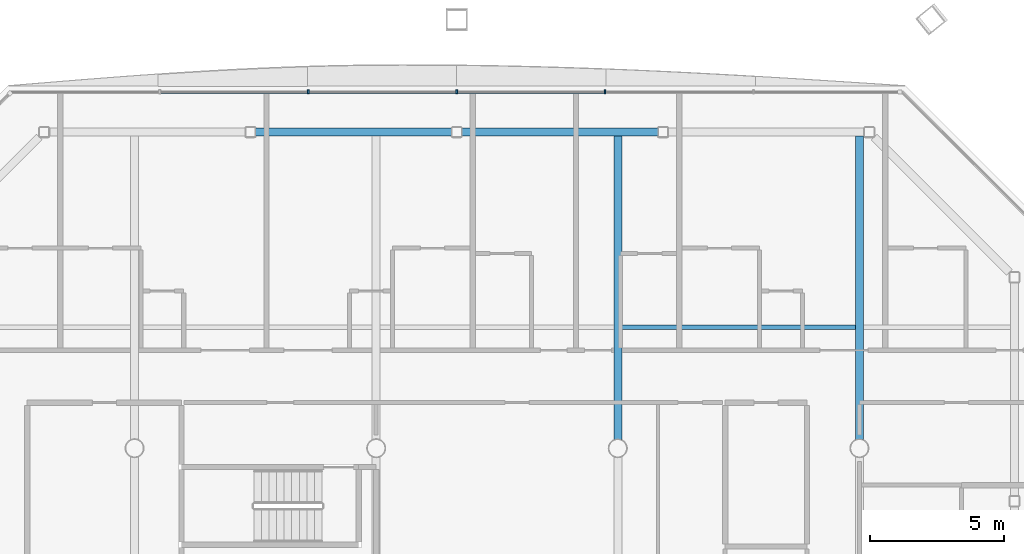
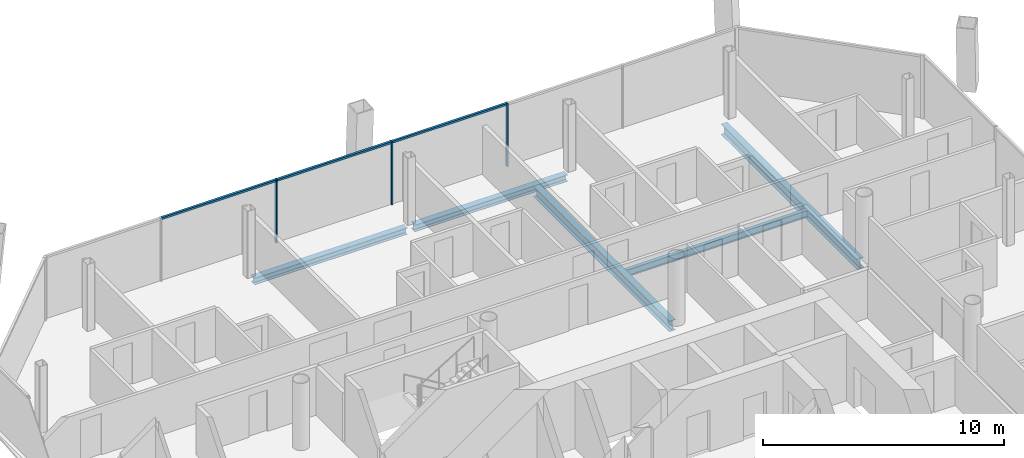
# One storey, part 10 of 21: 6 members, 5 beams, 1 element without a shape of its own.
"""IFC4 building model written with IfcOpenShell, lengths in metres."""

from ifc_helpers import new_model, si_unit, direction, frame, origin, origin_2d, place, context, subcontext, project, spatial, rectangle, i_section, extrude, material, material_profile, profile_set, type_object, element, aggregate, save


model = new_model("IFC4")

# Units and contexts
model_context = context("Model", 3, precision=1e-05, world=origin(), true_north=direction((0.0, 1.0)))
body_context = subcontext(model_context, "Body", "Model", "MODEL_VIEW")
ifc_project = project(units=[si_unit("LENGTHUNIT", "METRE"), si_unit("AREAUNIT", "SQUARE_METRE"), si_unit("VOLUMEUNIT", "CUBIC_METRE"), si_unit("PLANEANGLEUNIT", "RADIAN"), si_unit("MASSUNIT", "GRAM", prefix="KILO")], contexts=[model_context])

# Site, building, storey
site_placement = place(None, origin())
site = spatial("IfcSite", under=ifc_project, at=site_placement, CompositionType="ELEMENT")
building_placement = place(site_placement, origin())
building = spatial("IfcBuilding", under=site, at=building_placement, Name="Tskaro Facet Tower", CompositionType="ELEMENT")
storey_placement = place(building_placement, frame((0.0, 0.0, 148.699951171875)))
storey = spatial("IfcBuildingStorey", under=building, at=storey_placement, Name="L36", CompositionType="ELEMENT", Elevation=148.699951171875)

# Curtain wall, members
ifc_material_1 = material(Name="Bronze anodised aluminium 6063-T6", Category="aluminium")
curtain_wall_type = type_object("IfcCurtainWallType", Name="Bronze hotel curtain wall (FW2)", PredefinedType="NOTDEFINED", material=ifc_material_1)
curtain_wall_placement = place(storey_placement, origin())
curtain_wall = element("IfcCurtainWall", 1, at=curtain_wall_placement, inside=storey, type_object=curtain_wall_type, Name="FW2 north facet L36", PredefinedType="NOTDEFINED")
ifc_material_profile_1 = material_profile(ifc_material_1, rectangle(XDim=0.06005859375, YDim=0.14990234375, at=origin_2d()), Name="Mullion 60x150")
ifc_profile_set_1 = profile_set([ifc_material_profile_1], Name="Bronze anodised aluminium 6063-T6")
member_type_1 = type_object("IfcMemberType", Name="FW2 bronze mullion 60x150", PredefinedType="MULLION", material=ifc_profile_set_1)
member_1_placement = place(storey_placement, frame((8.53076171875, 22.27197265625, 0.0), z_axis=(0.0, 0.0, 1.0), x_axis=(-1.0, 0.0, 0.0)))
member_1 = element("IfcMember", 2, at=member_1_placement, type_object=member_type_1, Name="FW2 north mullion 2", PredefinedType="MULLION", context=body_context, shape_type="SweptSolid", body=[
    extrude(rectangle(XDim=0.06005859375, YDim=0.14990234375, at=origin_2d()), origin(), (0.0, 0.0, 1.0), 3.199951171875),
])
member_2_placement = place(storey_placement, frame((3.0, 22.27197265625, 0.0), z_axis=(0.0, 0.0, 1.0), x_axis=(-1.0, 0.0, 0.0)))
member_2 = element("IfcMember", 3, at=member_2_placement, type_object=member_type_1, Name="FW2 north mullion 3", PredefinedType="MULLION", context=body_context, shape_type="SweptSolid", body=[
    extrude(rectangle(XDim=0.06005859375, YDim=0.14990234375, at=origin_2d()), origin(), (0.0, 0.0, 1.0), 3.199951171875),
])
member_3_placement = place(storey_placement, frame((-2.53076171875, 22.27197265625, 0.0), z_axis=(0.0, 0.0, 1.0), x_axis=(-1.0, 0.0, 0.0)))
member_3 = element("IfcMember", 4, at=member_3_placement, type_object=member_type_1, Name="FW2 north mullion 4", PredefinedType="MULLION", context=body_context, shape_type="SweptSolid", body=[
    extrude(rectangle(XDim=0.06005859375, YDim=0.14990234375, at=origin_2d()), origin(), (0.0, 0.0, 1.0), 3.199951171875),
])
ifc_material_profile_2 = material_profile(ifc_material_1, rectangle(XDim=0.110107421875, YDim=0.10009765625, at=origin_2d()), Name="Transom 110x100")
ifc_profile_set_2 = profile_set([ifc_material_profile_2], Name="Bronze anodised aluminium 6063-T6")
member_type_2 = type_object("IfcMemberType", Name="FW2 bronze transom 110x100", PredefinedType="USERDEFINED", material=ifc_profile_set_2)
member_4_placement = place(storey_placement, frame((8.500732421875, 22.27197265625, 3.150146484375), z_axis=(-1.0, 0.0, 0.0), x_axis=(0.0, -1.0, 0.0)))
member_4 = element("IfcMember", 5, at=member_4_placement, type_object=member_type_2, Name="FW2 north transom 3.1", ObjectType="TRANSOM", PredefinedType="USERDEFINED", context=body_context, shape_type="SweptSolid", body=[
    extrude(rectangle(XDim=0.110107421875, YDim=0.10009765625, at=origin_2d()), origin(), (0.0, 0.0, 1.0), 5.470703125),
])
member_5_placement = place(storey_placement, frame((2.969970703125, 22.27197265625, 3.150146484375), z_axis=(-1.0, 0.0, 0.0), x_axis=(0.0, -1.0, 0.0)))
member_5 = element("IfcMember", 6, at=member_5_placement, type_object=member_type_2, Name="FW2 north transom 4.1", ObjectType="TRANSOM", PredefinedType="USERDEFINED", context=body_context, shape_type="SweptSolid", body=[
    extrude(rectangle(XDim=0.110107421875, YDim=0.10009765625, at=origin_2d()), origin(), (0.0, 0.0, 1.0), 5.470703125),
])
member_6_placement = place(storey_placement, frame((-2.560546875, 22.27197265625, 3.150146484375), z_axis=(-1.0, 0.0, 0.0), x_axis=(0.0, -1.0, 0.0)))
member_6 = element("IfcMember", 7, at=member_6_placement, type_object=member_type_2, Name="FW2 north transom 5.1", ObjectType="TRANSOM", PredefinedType="USERDEFINED", context=body_context, shape_type="SweptSolid", body=[
    extrude(rectangle(XDim=0.110107421875, YDim=0.10009765625, at=origin_2d()), origin(), (0.0, 0.0, 1.0), 5.470703125),
])
aggregate(curtain_wall, [member_1, member_2, member_3, member_4, member_5, member_6])

# Beams
ifc_material_2 = material(Name="Steel S355J2", Category="steel")
ifc_material_profile_3 = material_profile(ifc_material_2, i_section(OverallWidth=0.300048828125, OverallDepth=0.340087890625, WebThickness=0.011962890625, FlangeThickness=0.021484375, FilletRadius=0.027099609375, at=origin_2d()), Name="HE 340 B")
ifc_profile_set_3 = profile_set([ifc_material_profile_3], Name="Steel S355J2")
beam_type_1 = type_object("IfcBeamType", Name="HE 340 B ring beam", PredefinedType="BEAM", material=ifc_profile_set_3)
for number, where, z_axis, x_axis, name in (
    (8, (10.50390625, 20.77392578125, -0.31005859375), (-1.0, 0.0, 0.0), (0.0, -1.0, 0.0), "HE 340 B EB12-3"),
    (9, (2.820068359375, 20.77392578125, -0.31005859375), (-1.0, 0.0, 0.0), (0.0, -1.0, 0.0), "HE 340 B EB13-3"),
):
    element("IfcBeam", number, at=place(storey_placement, frame(where, z_axis=z_axis, x_axis=x_axis)), inside=storey, type_object=beam_type_1, Name=name, PredefinedType="BEAM", context=body_context, shape_type="SweptSolid", body=[
        extrude(i_section(OverallWidth=0.300048828125, OverallDepth=0.340087890625, WebThickness=0.011962890625, FlangeThickness=0.021484375, FilletRadius=0.027099609375, at=origin_2d()), origin(), (0.0, 0.0, 1.0), 7.323974609375),
    ])
ifc_material_profile_4 = material_profile(ifc_material_2, i_section(OverallWidth=0.300048828125, OverallDepth=0.5400390625, WebThickness=0.012451171875, FlangeThickness=0.02392578125, FilletRadius=0.027099609375, at=origin_2d()), Name="HE 550 A")
ifc_profile_set_4 = profile_set([ifc_material_profile_4], Name="Steel S355J2")
beam_type_2 = type_object("IfcBeamType", Name="HE 550 A long girder", PredefinedType="BEAM", material=ifc_profile_set_4)
for number, where, z_axis, x_axis, name in (
    (10, (9.0, 9.325439453125, -0.409912109375), (0.0, 1.0, 0.0), (-1.0, 0.0, 0.0), "HE 550 A LGB5-3-3"),
    (11, (18.0, 9.325439453125, -0.409912109375), (0.0, 1.0, 0.0), (-1.0, 0.0, 0.0), "HE 550 A LGB6-4-3"),
):
    element("IfcBeam", number, at=place(storey_placement, frame(where, z_axis=z_axis, x_axis=x_axis)), inside=storey, type_object=beam_type_2, Name=name, PredefinedType="BEAM", context=body_context, shape_type="SweptSolid", body=[
        extrude(i_section(OverallWidth=0.300048828125, OverallDepth=0.5400390625, WebThickness=0.012451171875, FlangeThickness=0.02392578125, FilletRadius=0.027099609375, at=origin_2d()), origin(), (0.0, 0.0, 1.0), 11.298583984375),
    ])
ifc_material_profile_5 = material_profile(ifc_material_2, i_section(OverallWidth=0.169921875, OverallDepth=0.360107421875, WebThickness=0.008056640625, FlangeThickness=0.0126953125, FilletRadius=0.01806640625, at=origin_2d()), Name="IPE 360")
ifc_profile_set_5 = profile_set([ifc_material_profile_5], Name="Steel S355J2")
beam_type_3 = type_object("IfcBeamType", Name="IPE 360 secondary beam", PredefinedType="BEAM", material=ifc_profile_set_5)
beam_placement = place(storey_placement, frame((9.14990234375, 13.5, -0.320068359375), z_axis=(1.0, 0.0, 0.0), x_axis=(0.0, 1.0, 0.0)))
element("IfcBeam", 12, at=beam_placement, inside=storey, type_object=beam_type_3, Name="IPE 360 SB5a-4-3", PredefinedType="BEAM", context=body_context, shape_type="SweptSolid", body=[
    extrude(i_section(OverallWidth=0.169921875, OverallDepth=0.360107421875, WebThickness=0.008056640625, FlangeThickness=0.0126953125, FilletRadius=0.01806640625, at=origin_2d()), origin(), (0.0, 0.0, 1.0), 8.7001953125),
])

save(model, "model.ifc")
